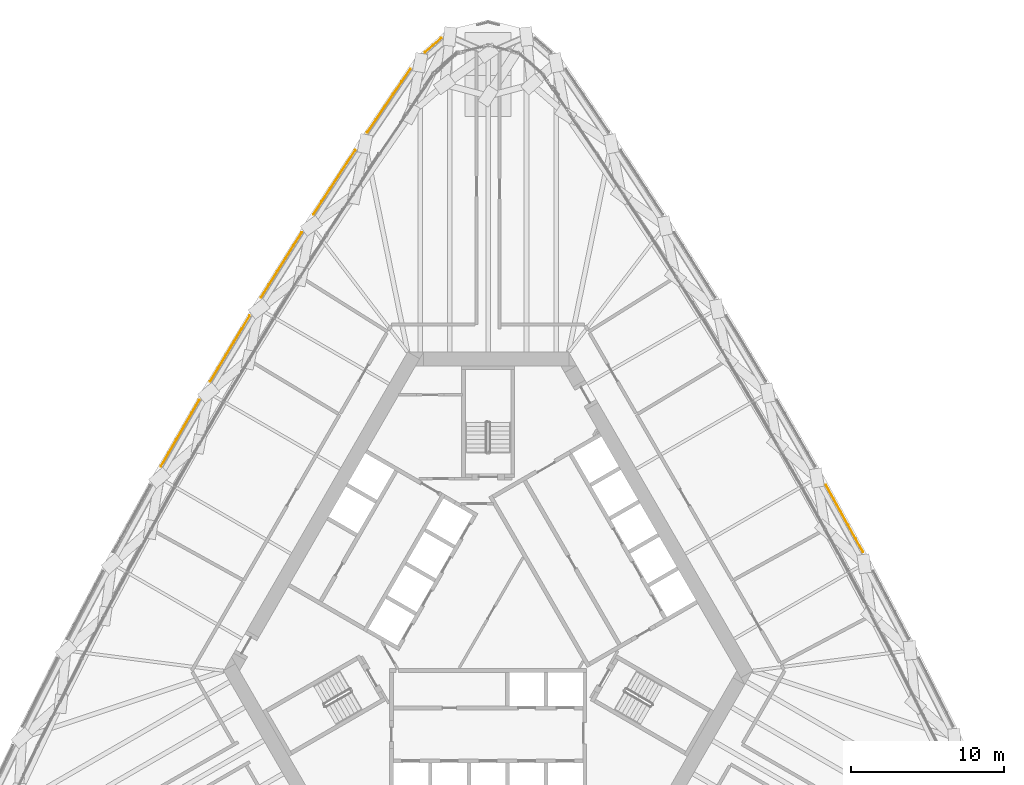
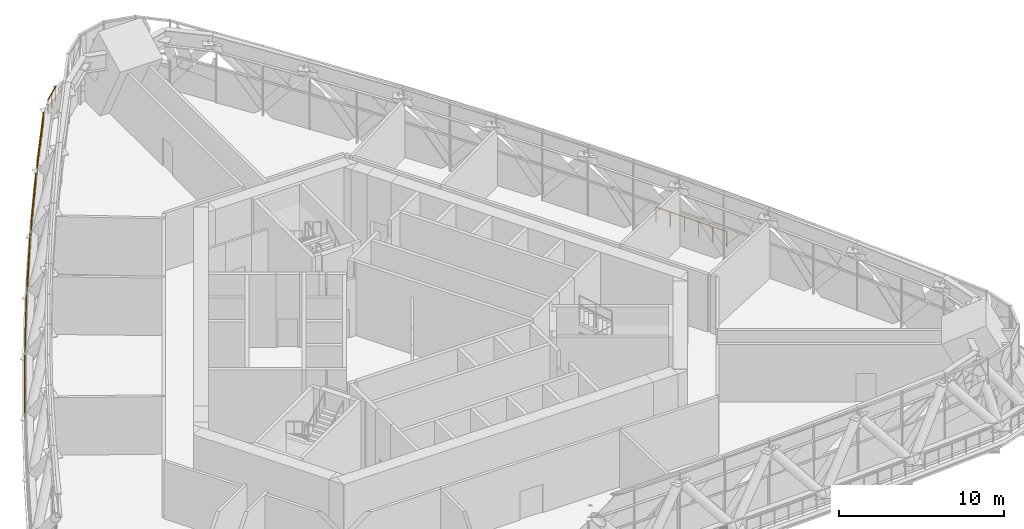
# One storey, part 41 of 43: 7 railings.
"""IFC4 building model written with IfcOpenShell, lengths in metres."""

from ifc_helpers import new_model, si_unit, direction, frame, origin, origin_2d, place, context, subcontext, project, spatial, circle, extrude, material, type_object, element, save


model = new_model("IFC4")

# Units and contexts
model_context = context("Model", 3, precision=1e-05, world=origin(), true_north=direction((0.0, 1.0)))
body_context = subcontext(model_context, "Body", "Model", "MODEL_VIEW")
ifc_project = project(units=[si_unit("LENGTHUNIT", "METRE"), si_unit("AREAUNIT", "SQUARE_METRE"), si_unit("VOLUMEUNIT", "CUBIC_METRE"), si_unit("PLANEANGLEUNIT", "RADIAN"), si_unit("MASSUNIT", "GRAM", prefix="KILO")], contexts=[model_context])

# Site, building, storey
site_placement = place(None, origin())
site = spatial("IfcSite", under=ifc_project, at=site_placement, CompositionType="ELEMENT")
building_placement = place(site_placement, origin())
building = spatial("IfcBuilding", under=site, at=building_placement, Name="Mestral Congress Tower", CompositionType="ELEMENT")
storey_placement = place(building_placement, frame((0.0, 0.0, 78.300048828125)))
storey = spatial("IfcBuildingStorey", under=building, at=storey_placement, Name="L18", CompositionType="ELEMENT", Elevation=78.300048828125)

# Railings
ifc_material = material(Name="Stainless steel", Category="steel")
railing_type = type_object("IfcRailingType", Name="Facade guard 1120 steel and glass", PredefinedType="GUARDRAIL", material=ifc_material)
railing_1_placement = place(storey_placement, frame((24.4638671875, 3.84326171875, 0.0)))
element("IfcRailing", 1, at=railing_1_placement, inside=storey, type_object=railing_type, Name="Band guard F1-03", PredefinedType="GUARDRAIL", context=body_context, shape_type="SweptSolid", body=[
    extrude(circle(Radius=0.02392578125, at=origin_2d()), frame((0.0, 0.0, 1.09619140625), z_axis=(-0.483912572871, 0.875116347589, 0.0), x_axis=(-0.875116347589, -0.483912572871, 0.0)), (0.0, 0.0, 1.0), 4.998291015625),
    extrude(circle(Radius=0.02099609375, at=origin_2d()), origin(), (0.0, 0.0, 1.0), 1.072021484375),
    extrude(circle(Radius=0.02099609375, at=origin_2d()), frame((-0.483642578125, 0.874755859375, 0.0)), (0.0, 0.0, 1.0), 1.072021484375),
    extrude(circle(Radius=0.02099609375, at=origin_2d()), frame((-0.967529296875, 1.74951171875, 0.0)), (0.0, 0.0, 1.0), 1.072021484375),
    extrude(circle(Radius=0.02099609375, at=origin_2d()), frame((-1.451171875, 2.62451171875, 0.0)), (0.0, 0.0, 1.0), 1.072021484375),
    extrude(circle(Radius=0.02099609375, at=origin_2d()), frame((-1.93505859375, 3.499267578125, 0.0)), (0.0, 0.0, 1.0), 1.072021484375),
    extrude(circle(Radius=0.02099609375, at=origin_2d()), frame((-2.418701171875, 4.3740234375, 0.0)), (0.0, 0.0, 1.0), 1.072021484375),
])
railing_2_placement = place(storey_placement, frame((-3.06103515625, 37.3916015625, 0.0)))
element("IfcRailing", 2, at=railing_2_placement, inside=storey, type_object=railing_type, Name="Band guard K1-3", PredefinedType="GUARDRAIL", context=body_context, shape_type="SweptSolid", body=[
    extrude(circle(Radius=0.02392578125, at=origin_2d()), frame((0.0, 0.0, 1.09619140625), z_axis=(-0.749727089614, -0.661747150428, 0.0), x_axis=(0.661747150428, -0.749727089614, 0.0)), (0.0, 0.0, 1.0), 1.415283203125),
    extrude(circle(Radius=0.02099609375, at=origin_2d()), origin(), (0.0, 0.0, 1.0), 1.072021484375),
    extrude(circle(Radius=0.02099609375, at=origin_2d()), frame((-0.530517578125, -0.46826171875, 0.0)), (0.0, 0.0, 1.0), 1.072021484375),
    extrude(circle(Radius=0.02099609375, at=origin_2d()), frame((-1.06103515625, -0.9365234375, 0.0)), (0.0, 0.0, 1.0), 1.072021484375),
])
railing_3_placement = place(storey_placement, frame((-5.07421875, 35.373779296875, 0.0)))
element("IfcRailing", 3, at=railing_3_placement, inside=storey, type_object=railing_type, Name="Band guard F2-00", PredefinedType="GUARDRAIL", context=body_context, shape_type="SweptSolid", body=[
    extrude(circle(Radius=0.02392578125, at=origin_2d()), frame((0.0, 0.0, 1.09619140625), z_axis=(-0.562587468419, -0.82673777002, 0.0), x_axis=(0.82673777002, -0.562587468419, 0.0)), (0.0, 0.0, 1.0), 5.005615234375),
    extrude(circle(Radius=0.02099609375, at=origin_2d()), origin(), (0.0, 0.0, 1.0), 1.072021484375),
    extrude(circle(Radius=0.02099609375, at=origin_2d()), frame((-0.563232421875, -0.82763671875, 0.0)), (0.0, 0.0, 1.0), 1.072021484375),
    extrude(circle(Radius=0.02099609375, at=origin_2d()), frame((-1.12646484375, -1.6552734375, 0.0)), (0.0, 0.0, 1.0), 1.072021484375),
    extrude(circle(Radius=0.02099609375, at=origin_2d()), frame((-1.689697265625, -2.483154296875, 0.0)), (0.0, 0.0, 1.0), 1.072021484375),
    extrude(circle(Radius=0.02099609375, at=origin_2d()), frame((-2.2529296875, -3.310791015625, 0.0)), (0.0, 0.0, 1.0), 1.072021484375),
    extrude(circle(Radius=0.02099609375, at=origin_2d()), frame((-2.816162109375, -4.138427734375, 0.0)), (0.0, 0.0, 1.0), 1.072021484375),
])
railing_4_placement = place(storey_placement, frame((-8.67138671875, 30.064697265625, 0.0)))
element("IfcRailing", 4, at=railing_4_placement, inside=storey, type_object=railing_type, Name="Band guard F2-01", PredefinedType="GUARDRAIL", context=body_context, shape_type="SweptSolid", body=[
    extrude(circle(Radius=0.02392578125, at=origin_2d()), frame((0.0, 0.0, 1.09619140625), z_axis=(-0.547226989586, -0.836984242306, 0.0), x_axis=(0.836984242306, -0.547226989586, 0.0)), (0.0, 0.0, 1.0), 4.998046875),
    extrude(circle(Radius=0.02099609375, at=origin_2d()), origin(), (0.0, 0.0, 1.0), 1.072021484375),
    extrude(circle(Radius=0.02099609375, at=origin_2d()), frame((-0.547119140625, -0.836669921875, 0.0)), (0.0, 0.0, 1.0), 1.072021484375),
    extrude(circle(Radius=0.02099609375, at=origin_2d()), frame((-1.093994140625, -1.67333984375, 0.0)), (0.0, 0.0, 1.0), 1.072021484375),
    extrude(circle(Radius=0.02099609375, at=origin_2d()), frame((-1.64111328125, -2.510009765625, 0.0)), (0.0, 0.0, 1.0), 1.072021484375),
    extrude(circle(Radius=0.02099609375, at=origin_2d()), frame((-2.18798828125, -3.3466796875, 0.0)), (0.0, 0.0, 1.0), 1.072021484375),
    extrude(circle(Radius=0.02099609375, at=origin_2d()), frame((-2.735107421875, -4.183349609375, 0.0)), (0.0, 0.0, 1.0), 1.072021484375),
])
railing_5_placement = place(storey_placement, frame((-12.165771484375, 24.696533203125, 0.0)))
element("IfcRailing", 5, at=railing_5_placement, inside=storey, type_object=railing_type, Name="Band guard F2-02", PredefinedType="GUARDRAIL", context=body_context, shape_type="SweptSolid", body=[
    extrude(circle(Radius=0.02392578125, at=origin_2d()), frame((0.0, 0.0, 1.09619140625), z_axis=(-0.531653247599, -0.846962115042, 0.0), x_axis=(0.846962115042, -0.531653247599, 0.0)), (0.0, 0.0, 1.0), 4.998046875),
    extrude(circle(Radius=0.02099609375, at=origin_2d()), origin(), (0.0, 0.0, 1.0), 1.072021484375),
    extrude(circle(Radius=0.02099609375, at=origin_2d()), frame((-0.531494140625, -0.8466796875, 0.0)), (0.0, 0.0, 1.0), 1.072021484375),
    extrude(circle(Radius=0.02099609375, at=origin_2d()), frame((-1.06298828125, -1.693359375, 0.0)), (0.0, 0.0, 1.0), 1.072021484375),
    extrude(circle(Radius=0.02099609375, at=origin_2d()), frame((-1.59423828125, -2.539794921875, 0.0)), (0.0, 0.0, 1.0), 1.072021484375),
    extrude(circle(Radius=0.02099609375, at=origin_2d()), frame((-2.125732421875, -3.386474609375, 0.0)), (0.0, 0.0, 1.0), 1.072021484375),
    extrude(circle(Radius=0.02099609375, at=origin_2d()), frame((-2.6572265625, -4.233154296875, 0.0)), (0.0, 0.0, 1.0), 1.072021484375),
])
railing_6_placement = place(storey_placement, frame((-15.56005859375, 19.2646484375, 0.0)))
element("IfcRailing", 6, at=railing_6_placement, inside=storey, type_object=railing_type, Name="Band guard F2-03", PredefinedType="GUARDRAIL", context=body_context, shape_type="SweptSolid", body=[
    extrude(circle(Radius=0.02392578125, at=origin_2d()), frame((0.0, 0.0, 1.09619140625), z_axis=(-0.515938796285, -0.856625448191, 0.0), x_axis=(0.856625448191, -0.515938796285, 0.0)), (0.0, 0.0, 1.0), 4.998291015625),
    extrude(circle(Radius=0.02099609375, at=origin_2d()), origin(), (0.0, 0.0, 1.0), 1.072021484375),
    extrude(circle(Radius=0.02099609375, at=origin_2d()), frame((-0.515869140625, -0.8564453125, 0.0)), (0.0, 0.0, 1.0), 1.072021484375),
    extrude(circle(Radius=0.02099609375, at=origin_2d()), frame((-1.031494140625, -1.712646484375, 0.0)), (0.0, 0.0, 1.0), 1.072021484375),
    extrude(circle(Radius=0.02099609375, at=origin_2d()), frame((-1.54736328125, -2.569091796875, 0.0)), (0.0, 0.0, 1.0), 1.072021484375),
    extrude(circle(Radius=0.02099609375, at=origin_2d()), frame((-2.06298828125, -3.42529296875, 0.0)), (0.0, 0.0, 1.0), 1.072021484375),
    extrude(circle(Radius=0.02099609375, at=origin_2d()), frame((-2.578857421875, -4.28173828125, 0.0)), (0.0, 0.0, 1.0), 1.072021484375),
])
railing_7_placement = place(storey_placement, frame((-18.853759765625, 13.77099609375, 0.0)))
element("IfcRailing", 7, at=railing_7_placement, inside=storey, type_object=railing_type, Name="Band guard F2-04", PredefinedType="GUARDRAIL", context=body_context, shape_type="SweptSolid", body=[
    extrude(circle(Radius=0.02392578125, at=origin_2d()), frame((0.0, 0.0, 1.09619140625), z_axis=(-0.499984603534, -0.866034292756, 0.0), x_axis=(0.866034292756, -0.499984603534, 0.0)), (0.0, 0.0, 1.0), 4.998291015625),
    extrude(circle(Radius=0.02099609375, at=origin_2d()), origin(), (0.0, 0.0, 1.0), 1.072021484375),
    extrude(circle(Radius=0.02099609375, at=origin_2d()), frame((-0.499755859375, -0.86572265625, 0.0)), (0.0, 0.0, 1.0), 1.072021484375),
    extrude(circle(Radius=0.02099609375, at=origin_2d()), frame((-0.99951171875, -1.7314453125, 0.0)), (0.0, 0.0, 1.0), 1.072021484375),
    extrude(circle(Radius=0.02099609375, at=origin_2d()), frame((-1.49951171875, -2.59716796875, 0.0)), (0.0, 0.0, 1.0), 1.072021484375),
    extrude(circle(Radius=0.02099609375, at=origin_2d()), frame((-1.999267578125, -3.462890625, 0.0)), (0.0, 0.0, 1.0), 1.072021484375),
    extrude(circle(Radius=0.02099609375, at=origin_2d()), frame((-2.4990234375, -4.32861328125, 0.0)), (0.0, 0.0, 1.0), 1.072021484375),
])

save(model, "model.ifc")
